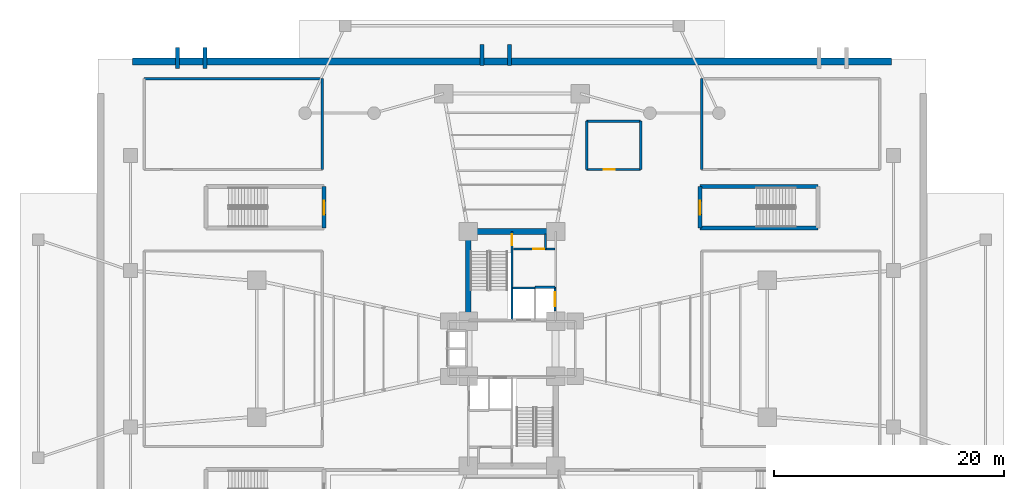
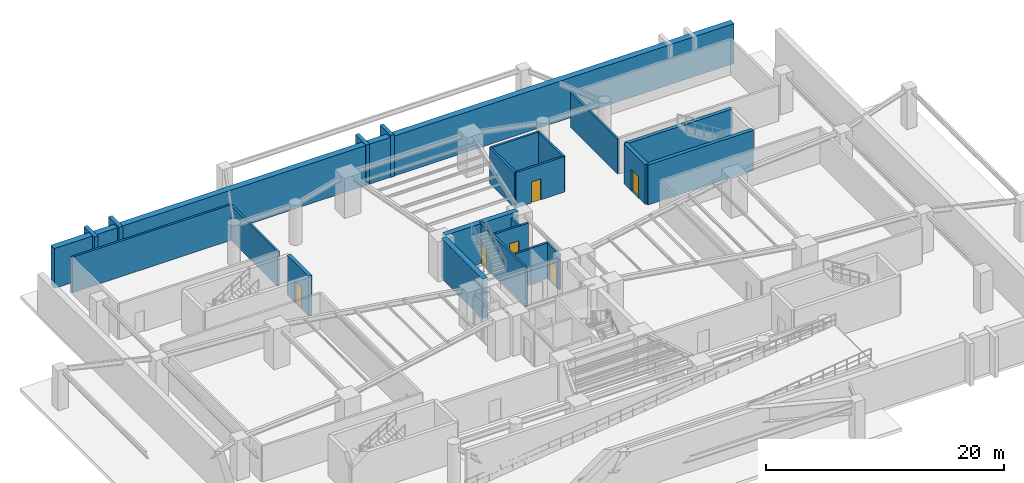
# One storey, part 9 of 14: 24 walls, 6 doors, 6 openings.
"""IFC4 building model written with IfcOpenShell, lengths in metres."""

from ifc_helpers import new_model, si_unit, direction, frame, frame_2d, origin, origin_2d, place, context, subcontext, project, spatial, rectangle, extrude, source, transform, mapped, material, layer, layer_set, type_object, element, fill, save


model = new_model("IFC4")

# Units and contexts
model_context = context("Model", 3, precision=1e-05, world=origin(), true_north=direction((0.0, 1.0)))
body_context = subcontext(model_context, "Body", "Model", "MODEL_VIEW")
ifc_project = project(units=[si_unit("LENGTHUNIT", "METRE"), si_unit("AREAUNIT", "SQUARE_METRE"), si_unit("VOLUMEUNIT", "CUBIC_METRE"), si_unit("PLANEANGLEUNIT", "RADIAN"), si_unit("MASSUNIT", "GRAM", prefix="KILO")], contexts=[model_context])

# Site, building, storey
site_placement = place(None, origin())
site = spatial("IfcSite", under=ifc_project, at=site_placement, CompositionType="ELEMENT")
building_placement = place(site_placement, origin())
building = spatial("IfcBuilding", under=site, at=building_placement, Name="Sahyath Konkavel Grand Hotel", CompositionType="ELEMENT")
storey_placement = place(building_placement, frame((0.0, 0.0, -4.5)))
storey = spatial("IfcBuildingStorey", under=building, at=storey_placement, Name="B1", CompositionType="ELEMENT", Elevation=-4.5)

# Walls
ifc_material_1 = material(Name="Concrete C50/60", Category="concrete")
ifc_layer_1 = layer(ifc_material_1, 0.60009765625)
ifc_layer_set_1 = layer_set([ifc_layer_1], Name="Concrete C50/60")
wall_type_1 = type_object("IfcWallType", Name="BWALL-600", PredefinedType="SOLIDWALL", material=ifc_layer_set_1)
wall_1_placement = place(storey_placement, frame((-33.0, 25.0, 0.0), z_axis=(0.0, 0.0, 1.0), x_axis=(1.0, 0.0, 0.0)))
element("IfcWall", 1, at=wall_1_placement, inside=storey, type_object=wall_type_1, Name="B1 Perimeter Retaining Wall N", PredefinedType="SOLIDWALL", context=body_context, shape_type="SweptSolid", body=[
    extrude(rectangle(XDim=66.0, YDim=0.60009765625, at=frame_2d((33.0, 0.0))), origin(), (0.0, 0.0, 1.0), 4.10009765625),
])
ifc_material_2 = material(Name="Concrete C40/50", Category="concrete")
ifc_layer_2 = layer(ifc_material_2, 0.35009765625)
ifc_layer_set_2 = layer_set([ifc_layer_2], Name="Concrete C40/50")
wall_type_2 = type_object("IfcWallType", Name="CWALL-350", PredefinedType="SHEAR", material=ifc_layer_set_2)
wall_2_placement = place(storey_placement, frame((-29.10009765625, 24.39990234375, 0.0), z_axis=(0.0, 0.0, 1.0), x_axis=(0.0, 1.0, 0.0)))
element("IfcWall", 2, at=wall_2_placement, inside=storey, type_object=wall_type_2, Name="B1 Pedestrian Ramp Bearing Wall PR1-A", PredefinedType="SHEAR", context=body_context, shape_type="SweptSolid", body=[
    extrude(rectangle(XDim=1.800048828125, YDim=0.35009765625, at=frame_2d((0.89990234375, 0.0))), origin(), (0.0, 0.0, 1.0), 4.169921875),
])
wall_3_placement = place(storey_placement, frame((-26.699951171875, 24.39990234375, 0.0), z_axis=(0.0, 0.0, 1.0), x_axis=(0.0, 1.0, 0.0)))
element("IfcWall", 3, at=wall_3_placement, inside=storey, type_object=wall_type_2, Name="B1 Pedestrian Ramp Bearing Wall PR1-B", PredefinedType="SHEAR", context=body_context, shape_type="SweptSolid", body=[
    extrude(rectangle(XDim=1.800048828125, YDim=0.35009765625, at=frame_2d((0.89990234375, 0.0))), origin(), (0.0, 0.0, 1.0), 4.320068359375),
])
wall_4_placement = place(storey_placement, frame((-2.60009765625, 24.64990234375, 0.0), z_axis=(0.0, 0.0, 1.0), x_axis=(0.0, 1.0, 0.0)))
element("IfcWall", 4, at=wall_4_placement, inside=storey, type_object=wall_type_2, Name="B1 Pedestrian Ramp Bearing Wall PR5-A", PredefinedType="SHEAR", context=body_context, shape_type="SweptSolid", body=[
    extrude(rectangle(XDim=1.800048828125, YDim=0.35009765625, at=frame_2d((0.89990234375, 0.0))), origin(), (0.0, 0.0, 1.0), 4.169921875),
])
wall_5_placement = place(storey_placement, frame((-0.199951171875, 24.64990234375, 0.0), z_axis=(0.0, 0.0, 1.0), x_axis=(0.0, 1.0, 0.0)))
element("IfcWall", 5, at=wall_5_placement, inside=storey, type_object=wall_type_2, Name="B1 Pedestrian Ramp Bearing Wall PR5-B", PredefinedType="SHEAR", context=body_context, shape_type="SweptSolid", body=[
    extrude(rectangle(XDim=1.800048828125, YDim=0.35009765625, at=frame_2d((0.89990234375, 0.0))), origin(), (0.0, 0.0, 1.0), 4.320068359375),
])

# Wall, opening, door
wall_6_placement = place(storey_placement, frame((-16.35009765625, 10.52001953125, 0.0), z_axis=(0.0, 0.0, 1.0), x_axis=(0.0, 1.0, 0.0)))
wall_6 = element("IfcWall", 6, at=wall_6_placement, inside=storey, type_object=wall_type_2, Name="B1 Partition ST-P1-E", PredefinedType="SHEAR", context=body_context, shape_type="SweptSolid", body=[
    extrude(rectangle(XDim=3.580078125, YDim=0.35009765625, at=frame_2d((1.7900390625, 0.0))), origin(), (0.0, 0.0, 1.0), 4.10009765625),
])
opening_1_placement = place(wall_6_placement, frame((1.14990234375, 0.0, 0.0)))
opening_1 = element("IfcOpeningElement", 7, at=opening_1_placement, cuts=wall_6, Name="Opening D-F12A", PredefinedType="OPENING", context=body_context, shape_type="SweptSolid", body=[
    extrude(rectangle(XDim=1.199951171875, YDim=2.199951171875, at=frame_2d((0.60009765625, 1.10009765625))), frame((0.0, 0.18505859375, 0.0), z_axis=(0.0, -1.0, 0.0), x_axis=(1.0, 0.0, 0.0)), (0.0, 0.0, 1.0), 0.3701171875),
])
ifc_material_3 = material(Name="Steel E350 Fire Door", Category="steel")
door_type_1 = type_object("IfcDoorType", Name="DR-FD120-1200", OperationType="NOTDEFINED", PredefinedType="DOOR", material=ifc_material_3)
shared_shape_1 = source(origin(), body_context, "Body", "SweptSolid", [
    extrude(rectangle(XDim=1.199951171875, YDim=0.050048828125, at=origin_2d()), origin(), (0.0, 0.0, 1.0), 2.199951171875),
])
door_1_placement = place(opening_1_placement, frame((0.60009765625, 0.0, 0.0)))
door_1 = element("IfcDoor", 8, at=door_1_placement, inside=storey, type_object=door_type_1, Name="B1 ST-P1 Fire Door", OperationType="SINGLE_SWING_LEFT", OverallHeight=2.199951171875, OverallWidth=1.199951171875, PredefinedType="DOOR", context=body_context, shape_type="MappedRepresentation", body=[
    mapped(shared_shape_1, transform((0.0, 0.0, 0.0), scale=1.0)),
])
fill(opening_1, door_1)

# Walls
for number, where, z_axis, x_axis, name in (
    (9, (16.35009765625, 14.10009765625, 0.0), (0.0, 0.0, 1.0), (1.0, 0.0, 0.0), "B1 Partition ST-P2-N"),
    (10, (16.35009765625, 10.52001953125, 0.0), (0.0, 0.0, 1.0), (1.0, 0.0, 0.0), "B1 Partition ST-P2-S"),
):
    element("IfcWall", number, at=place(storey_placement, frame(where, z_axis=z_axis, x_axis=x_axis)), inside=storey, type_object=wall_type_2, Name=name, PredefinedType="SHEAR", context=body_context, shape_type="SweptSolid", body=[
        extrude(rectangle(XDim=10.25, YDim=0.35009765625, at=frame_2d((5.125, 0.0))), origin(), (0.0, 0.0, 1.0), 4.10009765625),
    ])

# Wall, opening, door
wall_7_placement = place(storey_placement, frame((16.35009765625, 10.52001953125, 0.0), z_axis=(0.0, 0.0, 1.0), x_axis=(0.0, 1.0, 0.0)))
wall_7 = element("IfcWall", 11, at=wall_7_placement, inside=storey, type_object=wall_type_2, Name="B1 Partition ST-P2-W", PredefinedType="SHEAR", context=body_context, shape_type="SweptSolid", body=[
    extrude(rectangle(XDim=3.580078125, YDim=0.35009765625, at=frame_2d((1.7900390625, 0.0))), origin(), (0.0, 0.0, 1.0), 4.10009765625),
])
opening_2_placement = place(wall_7_placement, frame((1.14990234375, 0.0, 0.0)))
opening_2 = element("IfcOpeningElement", 12, at=opening_2_placement, cuts=wall_7, Name="Opening D-F12A", PredefinedType="OPENING", context=body_context, shape_type="SweptSolid", body=[
    extrude(rectangle(XDim=1.199951171875, YDim=2.199951171875, at=frame_2d((0.60009765625, 1.10009765625))), frame((0.0, 0.18505859375, 0.0), z_axis=(0.0, -1.0, 0.0), x_axis=(1.0, 0.0, 0.0)), (0.0, 0.0, 1.0), 0.3701171875),
])
door_2_placement = place(opening_2_placement, frame((0.60009765625, 0.0, 0.0)))
door_2 = element("IfcDoor", 13, at=door_2_placement, inside=storey, type_object=door_type_1, Name="B1 ST-P2 Fire Door", OperationType="SINGLE_SWING_RIGHT", OverallHeight=2.199951171875, OverallWidth=1.199951171875, PredefinedType="DOOR", context=body_context, shape_type="MappedRepresentation", body=[
    mapped(shared_shape_1, transform((0.0, 0.0, 0.0), scale=1.0)),
])
fill(opening_2, door_2)

# Walls
ifc_material_4 = material(Name="Concrete C70/85", Category="concrete")
ifc_layer_3 = layer(ifc_material_4, 0.5)
ifc_layer_set_3 = layer_set([ifc_layer_3], Name="Concrete C70/85")
wall_type_3 = type_object("IfcWallType", Name="CWALL-500", PredefinedType="SHEAR", material=ifc_layer_set_3)
wall_8_placement = place(storey_placement, frame((-3.550048828125, 10.199951171875, 0.0), z_axis=(0.0, 0.0, 1.0), x_axis=(1.0, 0.0, 0.0)))
element("IfcWall", 14, at=wall_8_placement, inside=storey, type_object=wall_type_3, Name="B1 North Core Shear Wall N", PredefinedType="SHEAR", context=body_context, shape_type="SweptSolid", body=[
    extrude(rectangle(XDim=7.10009765625, YDim=0.5, at=frame_2d((3.550048828125, 0.0))), origin(), (0.0, 0.0, 1.0), 4.10009765625),
])
wall_9_placement = place(storey_placement, frame((-3.800048828125, 2.85009765625, 0.0), z_axis=(0.0, 0.0, 1.0), x_axis=(0.0, 1.0, 0.0)))
element("IfcWall", 15, at=wall_9_placement, inside=storey, type_object=wall_type_3, Name="B1 North Core Shear Wall W", PredefinedType="SHEAR", context=body_context, shape_type="SweptSolid", body=[
    extrude(rectangle(XDim=6.89990234375, YDim=0.5, at=frame_2d((3.449951171875, 0.0))), origin(), (0.0, 0.0, 1.0), 4.10009765625),
])

# Wall, opening, door
ifc_layer_4 = layer(ifc_material_2, 0.199951171875)
ifc_layer_set_4 = layer_set([ifc_layer_4], Name="Concrete C40/50")
wall_type_4 = type_object("IfcWallType", Name="WLL-CORE-200", PredefinedType="SOLIDWALL", material=ifc_layer_set_4)
wall_10_placement = place(storey_placement, frame((0.0, 2.5, 0.0), z_axis=(0.0, 0.0, 1.0), x_axis=(0.0, 1.0, 0.0)))
wall_10 = element("IfcWall", 16, at=wall_10_placement, inside=storey, type_object=wall_type_4, Name="B1 Stair ST-1 Shaft Wall E", PredefinedType="SOLIDWALL", context=body_context, shape_type="SweptSolid", body=[
    extrude(rectangle(XDim=7.679931640625, YDim=0.199951171875, at=frame_2d((3.83984375, 0.0))), origin(), (0.0, 0.0, 1.0), 4.10009765625),
])
opening_3_placement = place(wall_10_placement, frame((6.5, 0.0, 0.0)))
opening_3 = element("IfcOpeningElement", 17, at=opening_3_placement, cuts=wall_10, Name="Opening D-F12C", PredefinedType="OPENING", context=body_context, shape_type="SweptSolid", body=[
    extrude(rectangle(XDim=0.949951171875, YDim=2.14990234375, at=frame_2d((0.47509765625, 1.074951171875))), frame((0.0, 0.10986328125, 0.0), z_axis=(0.0, -1.0, 0.0), x_axis=(1.0, 0.0, 0.0)), (0.0, 0.0, 1.0), 0.219970703125),
])
ifc_material_5 = material(Name="Steel E350 Plant Fire Door", Category="steel")
door_type_2 = type_object("IfcDoorType", Name="DR-FD120-950", OperationType="NOTDEFINED", PredefinedType="DOOR", material=ifc_material_5)
shared_shape_2 = source(origin(), body_context, "Body", "SweptSolid", [
    extrude(rectangle(XDim=0.949951171875, YDim=0.050048828125, at=origin_2d()), origin(), (0.0, 0.0, 1.0), 2.14990234375),
])
door_3_placement = place(opening_3_placement, frame((0.47509765625, 0.0, 0.0)))
door_3 = element("IfcDoor", 18, at=door_3_placement, inside=storey, type_object=door_type_2, Name="B1 Stair ST-1 Fire Door", OperationType="SINGLE_SWING_LEFT", OverallHeight=2.14990234375, OverallWidth=0.949951171875, PredefinedType="DOOR", context=body_context, shape_type="MappedRepresentation", body=[
    mapped(shared_shape_2, transform((0.0, 0.0, 0.0), scale=1.0)),
])
fill(opening_3, door_3)

# Walls
wall_11_placement = place(storey_placement, frame((0.050048828125, 5.280029296875, 0.0), z_axis=(0.0, 0.0, 1.0), x_axis=(1.0, 0.0, 0.0)))
element("IfcWall", 19, at=wall_11_placement, inside=storey, type_object=wall_type_4, Name="B1 Partition SH-FFL1-N", PredefinedType="SOLIDWALL", context=body_context, shape_type="SweptSolid", body=[
    extrude(rectangle(XDim=1.949951171875, YDim=0.199951171875, at=frame_2d((0.97509765625, 0.0))), origin(), (0.0, 0.0, 1.0), 3.64990234375),
])
wall_12_placement = place(storey_placement, frame((2.0, 5.360107421875, 0.0), z_axis=(0.0, 0.0, 1.0), x_axis=(1.0, 0.0, 0.0)))
element("IfcWall", 20, at=wall_12_placement, inside=storey, type_object=wall_type_4, Name="B1 Partition SH-SVL1-N", PredefinedType="SOLIDWALL", context=body_context, shape_type="SweptSolid", body=[
    extrude(rectangle(XDim=1.739990234375, YDim=0.199951171875, at=frame_2d((0.8701171875, 0.0))), origin(), (0.0, 0.0, 1.0), 3.64990234375),
])

# Wall, opening, door
wall_13_placement = place(storey_placement, frame((3.739990234375, 3.280029296875, 0.0), z_axis=(0.0, 0.0, 1.0), x_axis=(0.0, 1.0, 0.0)))
wall_13 = element("IfcWall", 21, at=wall_13_placement, inside=storey, type_object=wall_type_4, Name="B1 Partition SH-SVL1-E", PredefinedType="SOLIDWALL", context=body_context, shape_type="SweptSolid", body=[
    extrude(rectangle(XDim=2.080078125, YDim=0.199951171875, at=frame_2d((1.0400390625, 0.0))), origin(), (0.0, 0.0, 1.0), 3.64990234375),
])
opening_4_placement = place(wall_13_placement, frame((0.43994140625, 0.0, 0.0)))
opening_4 = element("IfcOpeningElement", 22, at=opening_4_placement, cuts=wall_13, Name="Opening LD-12", PredefinedType="OPENING", context=body_context, shape_type="SweptSolid", body=[
    extrude(rectangle(XDim=1.199951171875, YDim=2.199951171875, at=frame_2d((0.60009765625, 1.10009765625))), frame((0.0, 0.10986328125, 0.0), z_axis=(0.0, -1.0, 0.0), x_axis=(1.0, 0.0, 0.0)), (0.0, 0.0, 1.0), 0.219970703125),
])
ifc_material_6 = material(Name="Stainless Steel Lift Landing Door 1200", Category="steel")
door_type_3 = type_object("IfcDoorType", Name="DR-LIFT-1200", OperationType="DOUBLE_DOOR_SLIDING", PredefinedType="DOOR", material=ifc_material_6)
door_4_placement = place(opening_4_placement, frame((0.60009765625, 0.0, 0.0)))
door_4 = element("IfcDoor", 23, at=door_4_placement, inside=storey, type_object=door_type_3, Name="B1 Service Lift SVL-1 Landing Door", OperationType="DOUBLE_DOOR_SLIDING", OverallHeight=2.199951171875, OverallWidth=1.199951171875, PredefinedType="DOOR", context=body_context, shape_type="MappedRepresentation", body=[
    mapped(shared_shape_1, transform((0.0, 0.0, 0.0), scale=1.0)),
])
fill(opening_4, door_4)

wall_14_placement = place(storey_placement, frame((0.1201171875, 8.679931640625, 0.0), z_axis=(0.0, 0.0, 1.0), x_axis=(1.0, 0.0, 0.0)))
wall_14 = element("IfcWall", 24, at=wall_14_placement, inside=storey, type_object=wall_type_4, Name="B1 North FF Lobby Separation Wall", PredefinedType="SOLIDWALL", context=body_context, shape_type="SweptSolid", body=[
    extrude(rectangle(XDim=3.619873046875, YDim=0.199951171875, at=frame_2d((1.81005859375, 0.0))), origin(), (0.0, 0.0, 1.0), 3.64990234375),
])
opening_5_placement = place(wall_14_placement, frame((1.75, 0.0, 0.0)))
opening_5 = element("IfcOpeningElement", 25, at=opening_5_placement, cuts=wall_14, Name="Opening D-F12C", PredefinedType="OPENING", context=body_context, shape_type="SweptSolid", body=[
    extrude(rectangle(XDim=0.949951171875, YDim=2.14990234375, at=frame_2d((0.47509765625, 1.074951171875))), frame((0.0, 0.10986328125, 0.0), z_axis=(0.0, -1.0, 0.0), x_axis=(1.0, 0.0, 0.0)), (0.0, 0.0, 1.0), 0.219970703125),
])
door_5_placement = place(opening_5_placement, frame((0.47509765625, 0.0, 0.0)))
door_5 = element("IfcDoor", 26, at=door_5_placement, inside=storey, type_object=door_type_2, Name="B1 North Firefighting Lobby Door", OperationType="SINGLE_SWING_RIGHT", OverallHeight=2.14990234375, OverallWidth=0.949951171875, PredefinedType="DOOR", context=body_context, shape_type="MappedRepresentation", body=[
    mapped(shared_shape_2, transform((0.0, 0.0, 0.0), scale=1.0)),
])
fill(opening_5, door_5)

# Walls
wall_15_placement = place(storey_placement, frame((2.919921875, 8.679931640625, 0.0), z_axis=(0.0, 0.0, 1.0), x_axis=(0.0, 1.0, 0.0)))
element("IfcWall", 27, at=wall_15_placement, inside=storey, type_object=wall_type_4, Name="B1 Partition NFF-E2", PredefinedType="SOLIDWALL", context=body_context, shape_type="SweptSolid", body=[
    extrude(rectangle(XDim=1.320068359375, YDim=0.199951171875, at=frame_2d((0.66015625, 0.0))), origin(), (0.0, 0.0, 1.0), 3.64990234375),
])
wall_16_placement = place(storey_placement, frame((-32.0, 23.5, 0.0), z_axis=(0.0, 0.0, 1.0), x_axis=(1.0, 0.0, 0.0)))
element("IfcWall", 28, at=wall_16_placement, inside=storey, type_object=wall_type_4, Name="B1 Partition B1-DGEN-N", PredefinedType="SOLIDWALL", context=body_context, shape_type="SweptSolid", body=[
    extrude(rectangle(XDim=15.5, YDim=0.199951171875, at=frame_2d((7.75, 0.0))), origin(), (0.0, 0.0, 1.0), 3.64990234375),
])
for number, where, z_axis, x_axis, name in (
    (29, (-16.5, 15.60009765625, 0.0), (0.0, 0.0, 1.0), (0.0, 1.0, 0.0), "B1 Partition B1-DGEN-E"),
    (30, (16.5, 15.60009765625, 0.0), (0.0, 0.0, 1.0), (0.0, 1.0, 0.0), "B1 Partition B1-LAUN-W"),
):
    element("IfcWall", number, at=place(storey_placement, frame(where, z_axis=z_axis, x_axis=x_axis)), inside=storey, type_object=wall_type_4, Name=name, PredefinedType="SOLIDWALL", context=body_context, shape_type="SweptSolid", body=[
        extrude(rectangle(XDim=7.89990234375, YDim=0.199951171875, at=frame_2d((3.949951171875, 0.0))), origin(), (0.0, 0.0, 1.0), 3.570068359375),
    ])
wall_17_placement = place(storey_placement, frame((6.5, 19.800048828125, 0.0), z_axis=(0.0, 0.0, 1.0), x_axis=(1.0, 0.0, 0.0)))
element("IfcWall", 31, at=wall_17_placement, inside=storey, type_object=wall_type_4, Name="B1 Partition B1-AWC-N", PredefinedType="SOLIDWALL", context=body_context, shape_type="SweptSolid", body=[
    extrude(rectangle(XDim=4.699951171875, YDim=0.199951171875, at=frame_2d((2.35009765625, 0.0))), origin(), (0.0, 0.0, 1.0), 3.64990234375),
])

# Wall, opening, door
wall_18_placement = place(storey_placement, frame((6.5, 15.60009765625, 0.0), z_axis=(0.0, 0.0, 1.0), x_axis=(1.0, 0.0, 0.0)))
wall_18 = element("IfcWall", 32, at=wall_18_placement, inside=storey, type_object=wall_type_4, Name="B1 Partition B1-AWC-S", PredefinedType="SOLIDWALL", context=body_context, shape_type="SweptSolid", body=[
    extrude(rectangle(XDim=4.699951171875, YDim=0.199951171875, at=frame_2d((2.35009765625, 0.0))), origin(), (0.0, 0.0, 1.0), 3.64990234375),
])
opening_6_placement = place(wall_18_placement, frame((1.5, 0.0, 0.0)))
opening_6 = element("IfcOpeningElement", 33, at=opening_6_placement, cuts=wall_18, Name="Opening D-AC95", PredefinedType="OPENING", context=body_context, shape_type="SweptSolid", body=[
    extrude(rectangle(XDim=0.949951171875, YDim=2.14990234375, at=frame_2d((0.47509765625, 1.074951171875))), frame((0.0, 0.10986328125, 0.0), z_axis=(0.0, -1.0, 0.0), x_axis=(1.0, 0.0, 0.0)), (0.0, 0.0, 1.0), 0.219970703125),
])
ifc_material_7 = material(Name="Accessible Washroom Timber Door", Category="wood")
door_type_4 = type_object("IfcDoorType", Name="DR-ACC-950", OperationType="NOTDEFINED", PredefinedType="DOOR", material=ifc_material_7)
door_6_placement = place(opening_6_placement, frame((0.47509765625, 0.0, 0.0)))
door_6 = element("IfcDoor", 34, at=door_6_placement, inside=storey, type_object=door_type_4, Name="B1 Door B1-AWC-D", OperationType="SINGLE_SWING_LEFT", OverallHeight=2.14990234375, OverallWidth=0.949951171875, PredefinedType="DOOR", context=body_context, shape_type="MappedRepresentation", body=[
    mapped(shared_shape_2, transform((0.0, 0.0, 0.0), scale=1.0)),
])
fill(opening_6, door_6)

# Walls
for number, where, z_axis, x_axis, name in (
    (35, (6.5, 15.60009765625, 0.0), (0.0, 0.0, 1.0), (0.0, 1.0, 0.0), "B1 Partition B1-AWC-W"),
    (36, (11.199951171875, 15.60009765625, 0.0), (0.0, 0.0, 1.0), (0.0, 1.0, 0.0), "B1 Partition B1-AWC-E"),
):
    element("IfcWall", number, at=place(storey_placement, frame(where, z_axis=z_axis, x_axis=x_axis)), inside=storey, type_object=wall_type_4, Name=name, PredefinedType="SOLIDWALL", context=body_context, shape_type="SweptSolid", body=[
        extrude(rectangle(XDim=4.199951171875, YDim=0.199951171875, at=frame_2d((2.10009765625, 0.0))), origin(), (0.0, 0.0, 1.0), 3.64990234375),
    ])

save(model, "model.ifc")
